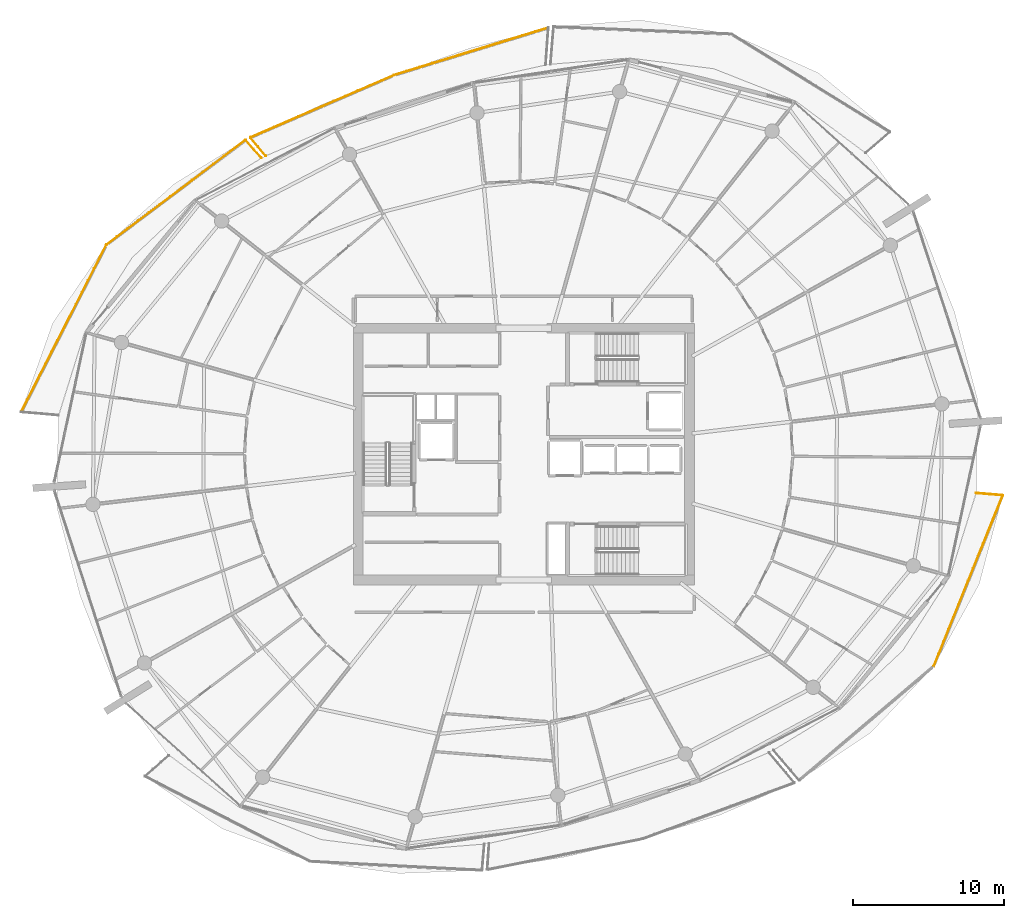
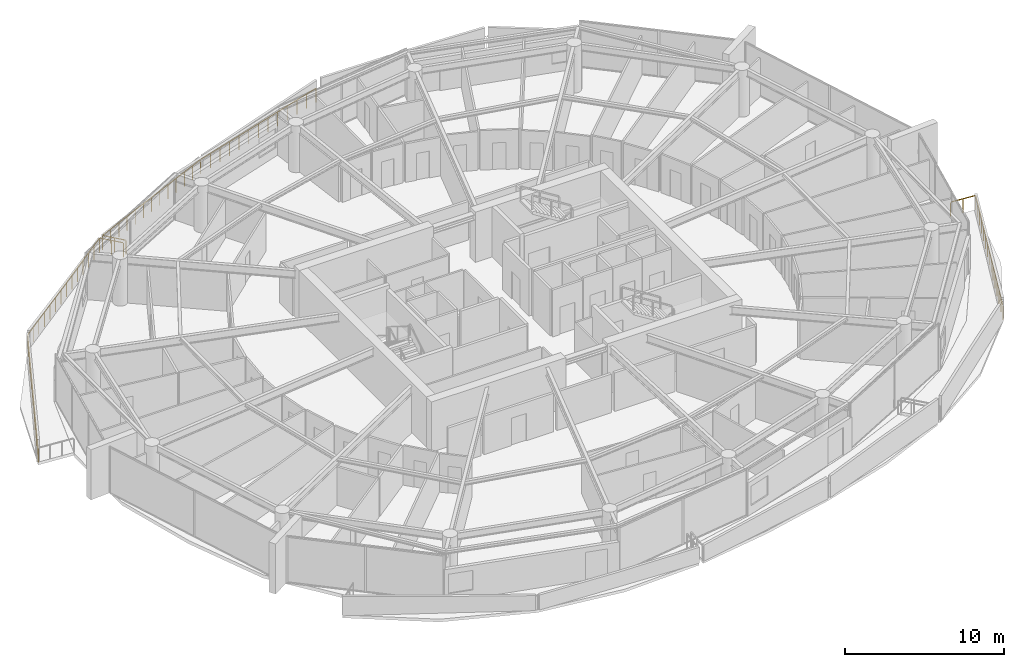
# One storey, part 28 of 30: 8 railings.
"""IFC4 building model written with IfcOpenShell, lengths in metres."""

from ifc_helpers import new_model, si_unit, direction, frame, origin, origin_2d, place, context, subcontext, project, spatial, rectangle, extrude, material, type_object, element, save


model = new_model("IFC4")

# Units and contexts
model_context = context("Model", 3, precision=1e-05, world=origin(), true_north=direction((0.0, 1.0)))
body_context = subcontext(model_context, "Body", "Model", "MODEL_VIEW")
ifc_project = project(units=[si_unit("LENGTHUNIT", "METRE"), si_unit("AREAUNIT", "SQUARE_METRE"), si_unit("VOLUMEUNIT", "CUBIC_METRE"), si_unit("PLANEANGLEUNIT", "RADIAN"), si_unit("MASSUNIT", "GRAM", prefix="KILO")], contexts=[model_context])

# Site, building, storey
site_placement = place(None, origin())
site = spatial("IfcSite", under=ifc_project, at=site_placement, CompositionType="ELEMENT")
building_placement = place(site_placement, origin())
building = spatial("IfcBuilding", under=site, at=building_placement, Name="Kazma Halo Residences", CompositionType="ELEMENT")
storey_placement = place(building_placement, frame((0.0, 0.0, 255.949951171875)))
storey = spatial("IfcBuildingStorey", under=building, at=storey_placement, Name="L64", CompositionType="ELEMENT", Elevation=255.949951171875)

# Railings
ifc_material = material(Name="Aluminium AW-6063 T6 Brushed Cap Rail", Category="aluminium")
railing_type = type_object("IfcRailingType", Name="RLG-BAL-CAP-1120", PredefinedType="BALUSTRADE", material=ifc_material)
railing_1_placement = place(storey_placement, frame((50.046630859375, 70.205810546875, 0.0)))
element("IfcRailing", 1, at=railing_1_placement, inside=storey, type_object=railing_type, Name="L64 NNW wave balcony guard 2", PredefinedType="BALUSTRADE", context=body_context, shape_type="SweptSolid", body=[
    extrude(rectangle(XDim=0.050048828125, YDim=0.050048828125, at=origin_2d()), frame((-0.040771484375, -0.012451171875, 1.09521484375), z_axis=(-0.955886857424, -0.293735111629, 0.0), x_axis=(0.293735111629, -0.955886857424, 0.0)), (0.0, 0.0, 1.0), 10.57861328125),
    extrude(rectangle(XDim=0.0400390625, YDim=0.0400390625, at=origin_2d()), origin(), (0.0, 0.0, 1.0), 1.05810546875),
    extrude(rectangle(XDim=0.0400390625, YDim=0.0400390625, at=origin_2d()), frame((-0.849365234375, -0.260986328125, 0.0)), (0.0, 0.0, 1.0), 1.05810546875),
    extrude(rectangle(XDim=0.0400390625, YDim=0.0400390625, at=origin_2d()), frame((-1.698974609375, -0.52197265625, 0.0)), (0.0, 0.0, 1.0), 1.05810546875),
    extrude(rectangle(XDim=0.0400390625, YDim=0.0400390625, at=origin_2d()), frame((-2.54833984375, -0.783203125, 0.0)), (0.0, 0.0, 1.0), 1.05810546875),
    extrude(rectangle(XDim=0.0400390625, YDim=0.0400390625, at=origin_2d()), frame((-3.397705078125, -1.044189453125, 0.0)), (0.0, 0.0, 1.0), 1.05810546875),
    extrude(rectangle(XDim=0.0400390625, YDim=0.0400390625, at=origin_2d()), frame((-4.247314453125, -1.30517578125, 0.0)), (0.0, 0.0, 1.0), 1.05810546875),
    extrude(rectangle(XDim=0.0400390625, YDim=0.0400390625, at=origin_2d()), frame((-5.0966796875, -1.566162109375, 0.0)), (0.0, 0.0, 1.0), 1.05810546875),
    extrude(rectangle(XDim=0.0400390625, YDim=0.0400390625, at=origin_2d()), frame((-5.946044921875, -1.8271484375, 0.0)), (0.0, 0.0, 1.0), 1.05810546875),
    extrude(rectangle(XDim=0.0400390625, YDim=0.0400390625, at=origin_2d()), frame((-6.795654296875, -2.088134765625, 0.0)), (0.0, 0.0, 1.0), 1.05810546875),
    extrude(rectangle(XDim=0.0400390625, YDim=0.0400390625, at=origin_2d()), frame((-7.64501953125, -2.34912109375, 0.0)), (0.0, 0.0, 1.0), 1.05810546875),
    extrude(rectangle(XDim=0.0400390625, YDim=0.0400390625, at=origin_2d()), frame((-8.494384765625, -2.6103515625, 0.0)), (0.0, 0.0, 1.0), 1.05810546875),
    extrude(rectangle(XDim=0.0400390625, YDim=0.0400390625, at=origin_2d()), frame((-9.343994140625, -2.871337890625, 0.0)), (0.0, 0.0, 1.0), 1.05810546875),
    extrude(rectangle(XDim=0.0400390625, YDim=0.0400390625, at=origin_2d()), frame((-10.193359375, -3.13232421875, 0.0)), (0.0, 0.0, 1.0), 1.05810546875),
])
railing_2_placement = place(storey_placement, frame((39.853271484375, 67.073486328125, 0.0)))
element("IfcRailing", 2, at=railing_2_placement, inside=storey, type_object=railing_type, Name="L64 NNW wave balcony guard 3", PredefinedType="BALUSTRADE", context=body_context, shape_type="SweptSolid", body=[
    extrude(rectangle(XDim=0.050048828125, YDim=0.050048828125, at=origin_2d()), frame((-0.0390625, -0.016845703125, 1.09521484375), z_axis=(-0.917370135076, -0.398035218632, 0.0), x_axis=(0.398035218632, -0.917370135076, 0.0)), (0.0, 0.0, 1.0), 10.29248046875),
    extrude(rectangle(XDim=0.0400390625, YDim=0.0400390625, at=origin_2d()), origin(), (0.0, 0.0, 1.0), 1.05810546875),
    extrude(rectangle(XDim=0.0400390625, YDim=0.0400390625, at=origin_2d()), frame((-0.79345703125, -0.34423828125, 0.0)), (0.0, 0.0, 1.0), 1.05810546875),
    extrude(rectangle(XDim=0.0400390625, YDim=0.0400390625, at=origin_2d()), frame((-1.586669921875, -0.6884765625, 0.0)), (0.0, 0.0, 1.0), 1.05810546875),
    extrude(rectangle(XDim=0.0400390625, YDim=0.0400390625, at=origin_2d()), frame((-2.3798828125, -1.03271484375, 0.0)), (0.0, 0.0, 1.0), 1.05810546875),
    extrude(rectangle(XDim=0.0400390625, YDim=0.0400390625, at=origin_2d()), frame((-3.17333984375, -1.376953125, 0.0)), (0.0, 0.0, 1.0), 1.05810546875),
    extrude(rectangle(XDim=0.0400390625, YDim=0.0400390625, at=origin_2d()), frame((-3.966796875, -1.72119140625, 0.0)), (0.0, 0.0, 1.0), 1.05810546875),
    extrude(rectangle(XDim=0.0400390625, YDim=0.0400390625, at=origin_2d()), frame((-4.760009765625, -2.0654296875, 0.0)), (0.0, 0.0, 1.0), 1.05810546875),
    extrude(rectangle(XDim=0.0400390625, YDim=0.0400390625, at=origin_2d()), frame((-5.55322265625, -2.409423828125, 0.0)), (0.0, 0.0, 1.0), 1.05810546875),
    extrude(rectangle(XDim=0.0400390625, YDim=0.0400390625, at=origin_2d()), frame((-6.3466796875, -2.753662109375, 0.0)), (0.0, 0.0, 1.0), 1.05810546875),
    extrude(rectangle(XDim=0.0400390625, YDim=0.0400390625, at=origin_2d()), frame((-7.14013671875, -3.097900390625, 0.0)), (0.0, 0.0, 1.0), 1.05810546875),
    extrude(rectangle(XDim=0.0400390625, YDim=0.0400390625, at=origin_2d()), frame((-7.933349609375, -3.442138671875, 0.0)), (0.0, 0.0, 1.0), 1.05810546875),
    extrude(rectangle(XDim=0.0400390625, YDim=0.0400390625, at=origin_2d()), frame((-8.7265625, -3.786376953125, 0.0)), (0.0, 0.0, 1.0), 1.05810546875),
    extrude(rectangle(XDim=0.0400390625, YDim=0.0400390625, at=origin_2d()), frame((-9.52001953125, -4.130615234375, 0.0)), (0.0, 0.0, 1.0), 1.05810546875),
])
railing_3_placement = place(storey_placement, frame((30.333251953125, 62.94287109375, 0.0)))
element("IfcRailing", 3, at=railing_3_placement, inside=storey, type_object=railing_type, Name="L64 NNW wave balcony guard 4", PredefinedType="BALUSTRADE", context=body_context, shape_type="SweptSolid", body=[
    extrude(rectangle(XDim=0.050048828125, YDim=0.050048828125, at=origin_2d()), frame((0.02734375, -0.032470703125, 1.09521484375), z_axis=(0.644823146011, -0.764331806461, 0.0), x_axis=(0.764331806461, 0.644823146011, 0.0)), (0.0, 0.0, 1.0), 1.500244140625),
    extrude(rectangle(XDim=0.0400390625, YDim=0.0400390625, at=origin_2d()), origin(), (0.0, 0.0, 1.0), 1.05810546875),
    extrude(rectangle(XDim=0.0400390625, YDim=0.0400390625, at=origin_2d()), frame((0.51123046875, -0.60595703125, 0.0)), (0.0, 0.0, 1.0), 1.05810546875),
    extrude(rectangle(XDim=0.0400390625, YDim=0.0400390625, at=origin_2d()), frame((1.022216796875, -1.211669921875, 0.0)), (0.0, 0.0, 1.0), 1.05810546875),
])
railing_4_placement = place(storey_placement, frame((31.06787109375, 61.58154296875, 0.0)))
element("IfcRailing", 4, at=railing_4_placement, inside=storey, type_object=railing_type, Name="L64 NW wave balcony guard 1", PredefinedType="BALUSTRADE", context=body_context, shape_type="SweptSolid", body=[
    extrude(rectangle(XDim=0.050048828125, YDim=0.050048828125, at=origin_2d()), frame((-0.02783203125, 0.0322265625, 1.09521484375), z_axis=(-0.654135317285, 0.756377542422, 0.0), x_axis=(-0.756377542422, -0.654135317285, 0.0)), (0.0, 0.0, 1.0), 1.505126953125),
    extrude(rectangle(XDim=0.0400390625, YDim=0.0400390625, at=origin_2d()), origin(), (0.0, 0.0, 1.0), 1.05810546875),
    extrude(rectangle(XDim=0.0400390625, YDim=0.0400390625, at=origin_2d()), frame((-0.52001953125, 0.6015625, 0.0)), (0.0, 0.0, 1.0), 1.05810546875),
    extrude(rectangle(XDim=0.0400390625, YDim=0.0400390625, at=origin_2d()), frame((-1.040283203125, 1.202880859375, 0.0)), (0.0, 0.0, 1.0), 1.05810546875),
])
railing_5_placement = place(storey_placement, frame((30.027587890625, 62.784423828125, 0.0)))
element("IfcRailing", 5, at=railing_5_placement, inside=storey, type_object=railing_type, Name="L64 NW wave balcony guard 2", PredefinedType="BALUSTRADE", context=body_context, shape_type="SweptSolid", body=[
    extrude(rectangle(XDim=0.050048828125, YDim=0.050048828125, at=origin_2d()), frame((-0.033935546875, -0.025634765625, 1.09521484375), z_axis=(-0.799153154591, -0.601127470265, 0.0), x_axis=(0.601127470265, -0.799153154591, 0.0)), (0.0, 0.0, 1.0), 11.446044921875),
    extrude(rectangle(XDim=0.0400390625, YDim=0.0400390625, at=origin_2d()), origin(), (0.0, 0.0, 1.0), 1.05810546875),
    extrude(rectangle(XDim=0.0400390625, YDim=0.0400390625, at=origin_2d()), frame((-0.708740234375, -0.533203125, 0.0)), (0.0, 0.0, 1.0), 1.05810546875),
    extrude(rectangle(XDim=0.0400390625, YDim=0.0400390625, at=origin_2d()), frame((-1.417724609375, -1.06640625, 0.0)), (0.0, 0.0, 1.0), 1.05810546875),
    extrude(rectangle(XDim=0.0400390625, YDim=0.0400390625, at=origin_2d()), frame((-2.12646484375, -1.599609375, 0.0)), (0.0, 0.0, 1.0), 1.05810546875),
    extrude(rectangle(XDim=0.0400390625, YDim=0.0400390625, at=origin_2d()), frame((-2.83544921875, -2.1328125, 0.0)), (0.0, 0.0, 1.0), 1.05810546875),
    extrude(rectangle(XDim=0.0400390625, YDim=0.0400390625, at=origin_2d()), frame((-3.544189453125, -2.666015625, 0.0)), (0.0, 0.0, 1.0), 1.05810546875),
    extrude(rectangle(XDim=0.0400390625, YDim=0.0400390625, at=origin_2d()), frame((-4.253173828125, -3.19921875, 0.0)), (0.0, 0.0, 1.0), 1.05810546875),
    extrude(rectangle(XDim=0.0400390625, YDim=0.0400390625, at=origin_2d()), frame((-4.9619140625, -3.732421875, 0.0)), (0.0, 0.0, 1.0), 1.05810546875),
    extrude(rectangle(XDim=0.0400390625, YDim=0.0400390625, at=origin_2d()), frame((-5.6708984375, -4.265625, 0.0)), (0.0, 0.0, 1.0), 1.05810546875),
    extrude(rectangle(XDim=0.0400390625, YDim=0.0400390625, at=origin_2d()), frame((-6.379638671875, -4.798828125, 0.0)), (0.0, 0.0, 1.0), 1.05810546875),
    extrude(rectangle(XDim=0.0400390625, YDim=0.0400390625, at=origin_2d()), frame((-7.088623046875, -5.33203125, 0.0)), (0.0, 0.0, 1.0), 1.05810546875),
    extrude(rectangle(XDim=0.0400390625, YDim=0.0400390625, at=origin_2d()), frame((-7.79736328125, -5.865234375, 0.0)), (0.0, 0.0, 1.0), 1.05810546875),
    extrude(rectangle(XDim=0.0400390625, YDim=0.0400390625, at=origin_2d()), frame((-8.50634765625, -6.3984375, 0.0)), (0.0, 0.0, 1.0), 1.05810546875),
    extrude(rectangle(XDim=0.0400390625, YDim=0.0400390625, at=origin_2d()), frame((-9.215087890625, -6.931640625, 0.0)), (0.0, 0.0, 1.0), 1.05810546875),
])
railing_6_placement = place(storey_placement, frame((20.8125, 55.852783203125, 0.0)))
element("IfcRailing", 6, at=railing_6_placement, inside=storey, type_object=railing_type, Name="L64 NW wave balcony guard 3", PredefinedType="BALUSTRADE", context=body_context, shape_type="SweptSolid", body=[
    extrude(rectangle(XDim=0.050048828125, YDim=0.050048828125, at=origin_2d()), frame((-0.019287109375, -0.037841796875, 1.09521484375), z_axis=(-0.453751445386, -0.891128288077, 0.0), x_axis=(0.891128288077, -0.453751445386, 0.0)), (0.0, 0.0, 1.0), 12.334716796875),
    extrude(rectangle(XDim=0.0400390625, YDim=0.0400390625, at=origin_2d()), origin(), (0.0, 0.0, 1.0), 1.05810546875),
    extrude(rectangle(XDim=0.0400390625, YDim=0.0400390625, at=origin_2d()), frame((-0.402587890625, -0.79052734375, 0.0)), (0.0, 0.0, 1.0), 1.05810546875),
    extrude(rectangle(XDim=0.0400390625, YDim=0.0400390625, at=origin_2d()), frame((-0.80517578125, -1.5810546875, 0.0)), (0.0, 0.0, 1.0), 1.05810546875),
    extrude(rectangle(XDim=0.0400390625, YDim=0.0400390625, at=origin_2d()), frame((-1.20751953125, -2.37158203125, 0.0)), (0.0, 0.0, 1.0), 1.05810546875),
    extrude(rectangle(XDim=0.0400390625, YDim=0.0400390625, at=origin_2d()), frame((-1.610107421875, -3.162109375, 0.0)), (0.0, 0.0, 1.0), 1.05810546875),
    extrude(rectangle(XDim=0.0400390625, YDim=0.0400390625, at=origin_2d()), frame((-2.0126953125, -3.95263671875, 0.0)), (0.0, 0.0, 1.0), 1.05810546875),
    extrude(rectangle(XDim=0.0400390625, YDim=0.0400390625, at=origin_2d()), frame((-2.415283203125, -4.7431640625, 0.0)), (0.0, 0.0, 1.0), 1.05810546875),
    extrude(rectangle(XDim=0.0400390625, YDim=0.0400390625, at=origin_2d()), frame((-2.81787109375, -5.53369140625, 0.0)), (0.0, 0.0, 1.0), 1.05810546875),
    extrude(rectangle(XDim=0.0400390625, YDim=0.0400390625, at=origin_2d()), frame((-3.22021484375, -6.324462890625, 0.0)), (0.0, 0.0, 1.0), 1.05810546875),
    extrude(rectangle(XDim=0.0400390625, YDim=0.0400390625, at=origin_2d()), frame((-3.622802734375, -7.114990234375, 0.0)), (0.0, 0.0, 1.0), 1.05810546875),
    extrude(rectangle(XDim=0.0400390625, YDim=0.0400390625, at=origin_2d()), frame((-4.025390625, -7.905517578125, 0.0)), (0.0, 0.0, 1.0), 1.05810546875),
    extrude(rectangle(XDim=0.0400390625, YDim=0.0400390625, at=origin_2d()), frame((-4.427978515625, -8.696044921875, 0.0)), (0.0, 0.0, 1.0), 1.05810546875),
    extrude(rectangle(XDim=0.0400390625, YDim=0.0400390625, at=origin_2d()), frame((-4.830322265625, -9.486572265625, 0.0)), (0.0, 0.0, 1.0), 1.05810546875),
    extrude(rectangle(XDim=0.0400390625, YDim=0.0400390625, at=origin_2d()), frame((-5.23291015625, -10.277099609375, 0.0)), (0.0, 0.0, 1.0), 1.05810546875),
    extrude(rectangle(XDim=0.0400390625, YDim=0.0400390625, at=origin_2d()), frame((-5.635498046875, -11.067626953125, 0.0)), (0.0, 0.0, 1.0), 1.05810546875),
])
railing_7_placement = place(storey_placement, frame((75.5419921875, 27.966552734375, 0.0)))
element("IfcRailing", 7, at=railing_7_placement, inside=storey, type_object=railing_type, Name="L64 SE wave balcony guard 3", PredefinedType="BALUSTRADE", context=body_context, shape_type="SweptSolid", body=[
    extrude(rectangle(XDim=0.050048828125, YDim=0.050048828125, at=origin_2d()), frame((0.015869140625, 0.03955078125, 1.09521484375), z_axis=(0.374095261737, 0.927390281999, 0.0), x_axis=(-0.927390281999, 0.374095261737, 0.0)), (0.0, 0.0, 1.0), 12.109619140625),
    extrude(rectangle(XDim=0.0400390625, YDim=0.0400390625, at=origin_2d()), origin(), (0.0, 0.0, 1.0), 1.05810546875),
    extrude(rectangle(XDim=0.0400390625, YDim=0.0400390625, at=origin_2d()), frame((0.325927734375, 0.807861328125, 0.0)), (0.0, 0.0, 1.0), 1.05810546875),
    extrude(rectangle(XDim=0.0400390625, YDim=0.0400390625, at=origin_2d()), frame((0.651611328125, 1.61572265625, 0.0)), (0.0, 0.0, 1.0), 1.05810546875),
    extrude(rectangle(XDim=0.0400390625, YDim=0.0400390625, at=origin_2d()), frame((0.9775390625, 2.42333984375, 0.0)), (0.0, 0.0, 1.0), 1.05810546875),
    extrude(rectangle(XDim=0.0400390625, YDim=0.0400390625, at=origin_2d()), frame((1.303466796875, 3.231201171875, 0.0)), (0.0, 0.0, 1.0), 1.05810546875),
    extrude(rectangle(XDim=0.0400390625, YDim=0.0400390625, at=origin_2d()), frame((1.62939453125, 4.0390625, 0.0)), (0.0, 0.0, 1.0), 1.05810546875),
    extrude(rectangle(XDim=0.0400390625, YDim=0.0400390625, at=origin_2d()), frame((1.955078125, 4.846923828125, 0.0)), (0.0, 0.0, 1.0), 1.05810546875),
    extrude(rectangle(XDim=0.0400390625, YDim=0.0400390625, at=origin_2d()), frame((2.281005859375, 5.65478515625, 0.0)), (0.0, 0.0, 1.0), 1.05810546875),
    extrude(rectangle(XDim=0.0400390625, YDim=0.0400390625, at=origin_2d()), frame((2.60693359375, 6.46240234375, 0.0)), (0.0, 0.0, 1.0), 1.05810546875),
    extrude(rectangle(XDim=0.0400390625, YDim=0.0400390625, at=origin_2d()), frame((2.9326171875, 7.270263671875, 0.0)), (0.0, 0.0, 1.0), 1.05810546875),
    extrude(rectangle(XDim=0.0400390625, YDim=0.0400390625, at=origin_2d()), frame((3.258544921875, 8.078125, 0.0)), (0.0, 0.0, 1.0), 1.05810546875),
    extrude(rectangle(XDim=0.0400390625, YDim=0.0400390625, at=origin_2d()), frame((3.58447265625, 8.885986328125, 0.0)), (0.0, 0.0, 1.0), 1.05810546875),
    extrude(rectangle(XDim=0.0400390625, YDim=0.0400390625, at=origin_2d()), frame((3.910400390625, 9.693603515625, 0.0)), (0.0, 0.0, 1.0), 1.05810546875),
    extrude(rectangle(XDim=0.0400390625, YDim=0.0400390625, at=origin_2d()), frame((4.236083984375, 10.50146484375, 0.0)), (0.0, 0.0, 1.0), 1.05810546875),
    extrude(rectangle(XDim=0.0400390625, YDim=0.0400390625, at=origin_2d()), frame((4.56201171875, 11.309326171875, 0.0)), (0.0, 0.0, 1.0), 1.05810546875),
])
railing_8_placement = place(storey_placement, frame((80.10400390625, 39.27587890625, 0.0)))
element("IfcRailing", 8, at=railing_8_placement, inside=storey, type_object=railing_type, Name="L64 SE wave balcony guard 4", PredefinedType="BALUSTRADE", context=body_context, shape_type="SweptSolid", body=[
    extrude(rectangle(XDim=0.050048828125, YDim=0.050048828125, at=origin_2d()), frame((-0.04248046875, 0.003662109375, 1.09521484375), z_axis=(-0.996414445327, 0.084606460419, 0.0), x_axis=(-0.084606460419, -0.996414445327, 0.0)), (0.0, 0.0, 1.0), 1.675048828125),
    extrude(rectangle(XDim=0.0400390625, YDim=0.0400390625, at=origin_2d()), origin(), (0.0, 0.0, 1.0), 1.05810546875),
    extrude(rectangle(XDim=0.0400390625, YDim=0.0400390625, at=origin_2d()), frame((-0.876953125, 0.074462890625, 0.0)), (0.0, 0.0, 1.0), 1.05810546875),
    extrude(rectangle(XDim=0.0400390625, YDim=0.0400390625, at=origin_2d()), frame((-1.75390625, 0.14892578125, 0.0)), (0.0, 0.0, 1.0), 1.05810546875),
])

save(model, "model.ifc")
